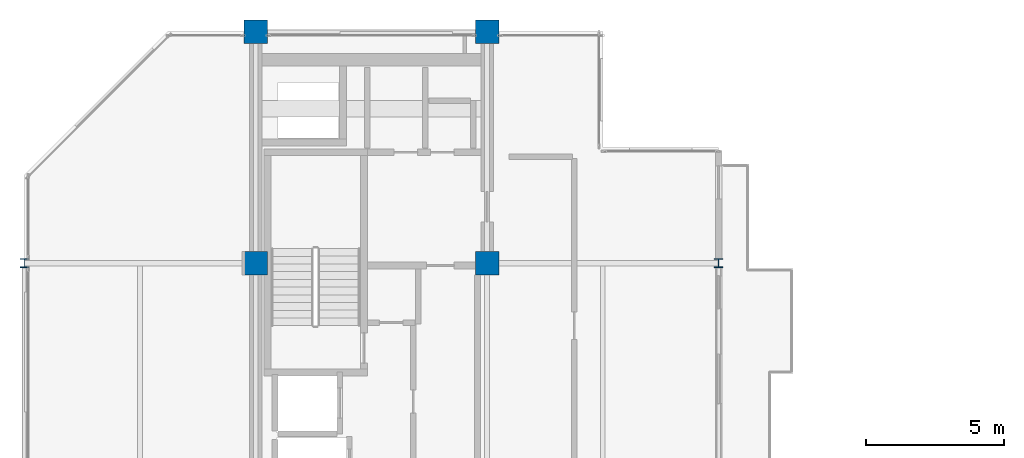
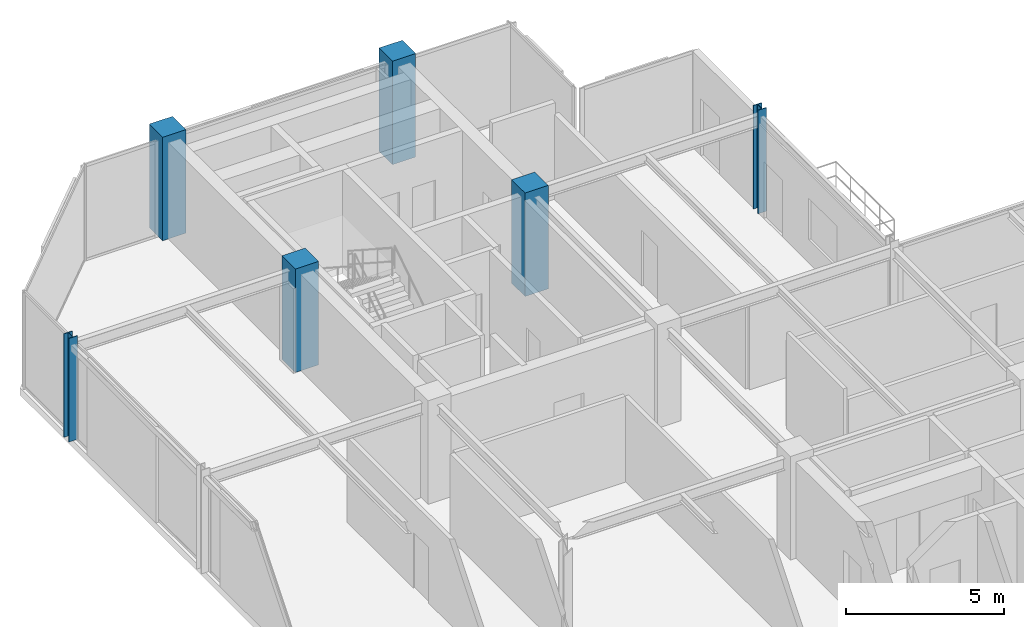
# One storey, part 2 of 26: 6 columns.
"""IFC4 building model written with IfcOpenShell, lengths in metres."""

import ifcopenshell
import ifcopenshell.guid

model = None  # the IFC model being written
_history = None  # IfcOwnerHistory: only IFC2X3 demands one
_inside = {}  # id of a spatial element -> (the spatial element, [elements in it])
_under = {}  # id of a project, library or spatial element -> (it, [spatial elements below it])
_declared = {}  # id of a project -> (the project, [libraries it declares])
_typed = {}  # id of a type object -> (the type object, [elements of that type])
_made_of = {}  # id of a material, layer set ... -> (it, [elements and type objects made of it])


def new_model(schema):
    """Start an empty IFC model of exactly this schema.

    Asked for "IFC4X3", IfcOpenShell would pick the latest addendum, in which some entities
    have other attributes; the version numbers below select the first issue.
    IFC2X3 requires an IfcOwnerHistory on every rooted entity: one is made here for all.
    """
    global model, _history
    if schema == "IFC4X3":
        model = ifcopenshell.file(schema_version=(4, 3, 0, 0))
    else:
        model = ifcopenshell.file(schema=schema)
    _inside.clear()
    _under.clear()
    _declared.clear()
    _typed.clear()
    _made_of.clear()
    _history = None
    if model.schema == "IFC2X3":
        org = make("IfcOrganization", Name="unknown")
        user = make(
            "IfcPersonAndOrganization",
            ThePerson=make("IfcPerson", FamilyName="unknown"),
            TheOrganization=org,
        )
        app = make(
            "IfcApplication",
            ApplicationDeveloper=org,
            Version="unknown",
            ApplicationFullName="unknown",
            ApplicationIdentifier="unknown",
        )
        _history = make(
            "IfcOwnerHistory",
            OwningUser=user,
            OwningApplication=app,
            ChangeAction="ADDED",
            CreationDate=0,
        )
    return model


def make(cls, **values):
    """One entity of the class cls with the attributes given. An attribute that is None is left unset."""
    return model.create_entity(
        cls, **{name: value for name, value in values.items() if value is not None}
    )


def rooted(cls, **values):
    """An entity with a GlobalId (a new one), such as an element, a storey or a relation."""
    return make(cls, GlobalId=ifcopenshell.guid.new(), OwnerHistory=_history, **values)


def si_unit(unit_type, name, prefix=None):
    """IfcSIUnit, for example si_unit("LENGTHUNIT", "METRE", prefix="MILLI")."""
    return make("IfcSIUnit", UnitType=unit_type, Prefix=prefix, Name=name)


def assignment(units):
    """IfcUnitAssignment: the units of a project."""
    return None if units is None else make("IfcUnitAssignment", Units=units)


def point(xyz):
    """IfcCartesianPoint."""
    return None if xyz is None else make("IfcCartesianPoint", Coordinates=xyz)


def direction(xyz):
    """IfcDirection."""
    return None if xyz is None else make("IfcDirection", DirectionRatios=xyz)


def frame(location, z_axis=None, x_axis=None):
    """IfcAxis2Placement3D, a coordinate frame: its origin and axes. An axis left out is left unset."""
    return make(
        "IfcAxis2Placement3D",
        Location=point(location),
        Axis=direction(z_axis),
        RefDirection=direction(x_axis),
    )


def frame_2d(location, x_axis=None):
    """IfcAxis2Placement2D, a coordinate frame in the plane: its origin and x axis."""
    return make(
        "IfcAxis2Placement2D", Location=point(location), RefDirection=direction(x_axis)
    )


def origin():
    """The frame at (0, 0, 0) with its axes left unset."""
    return frame((0.0, 0.0, 0.0))


def origin_2d():
    """The frame at (0, 0) in the plane with its x axis left unset."""
    return frame_2d((0.0, 0.0))


def place(relative_to, where):
    """IfcLocalPlacement: puts the frame where relative to a parent placement (None: the world)."""
    return make(
        "IfcLocalPlacement", PlacementRelTo=relative_to, RelativePlacement=where
    )


def context(
    kind, dimensions, precision=None, world=None, true_north=None, identifier=None
):
    """IfcGeometricRepresentationContext, for example the 3D "Model" context."""
    return make(
        "IfcGeometricRepresentationContext",
        ContextIdentifier=identifier,
        ContextType=kind,
        CoordinateSpaceDimension=dimensions,
        Precision=precision,
        WorldCoordinateSystem=world,
        TrueNorth=true_north,
    )


def subcontext(parent, identifier, kind, view, scale=None):
    """IfcGeometricRepresentationSubContext, for example "Body" below "Model"."""
    return make(
        "IfcGeometricRepresentationSubContext",
        ContextIdentifier=identifier,
        ContextType=kind,
        ParentContext=parent,
        TargetScale=scale,
        TargetView=view,
    )


def project(units=None, contexts=None):
    """IfcProject with its units and contexts."""
    return rooted(
        "IfcProject",
        Name="project",
        RepresentationContexts=contexts,
        UnitsInContext=assignment(units),
    )


def spatial(cls, under=None, at=None, **own):
    """A site, building, storey or space (cls), placed at a placement, below another one or the project."""
    s = rooted(cls, ObjectPlacement=at, **own)
    if under is not None:
        _under.setdefault(under.id(), (under, []))[1].append(s)
    return s


def profile(cls, at=None, kind="AREA", **sizes):
    """A parametric profile (cls). Its sizes go by their IFC names, for example OverallWidth=200.0."""
    return make(cls, ProfileType=kind, Position=at, **sizes)


def rectangle(**sizes):
    """IfcRectangleProfileDef."""
    return profile("IfcRectangleProfileDef", **sizes)


def i_section(**sizes):
    """IfcIShapeProfileDef."""
    return profile("IfcIShapeProfileDef", **sizes)


def extrude(swept, where, along, depth):
    """IfcExtrudedAreaSolid: the profile swept, set in the frame where, extruded along a direction by depth."""
    return make(
        "IfcExtrudedAreaSolid",
        SweptArea=swept,
        Position=where,
        ExtrudedDirection=direction(along),
        Depth=depth,
    )


def shape(context_of_items, identifier, shape_type, items):
    """IfcShapeRepresentation: the items that make up one representation, for example the "Body"."""
    return make(
        "IfcShapeRepresentation",
        ContextOfItems=context_of_items,
        RepresentationIdentifier=identifier,
        RepresentationType=shape_type,
        Items=items,
    )


def material(Name=None, Category=None):
    """IfcMaterial."""
    return make("IfcMaterial", Name=Name, Category=Category)


def material_profile(
    of_material, cross_section, Name=None, Category=None, Priority=None
):
    """IfcMaterialProfile: a cross section and its material."""
    return make(
        "IfcMaterialProfile",
        Name=Name,
        Material=of_material,
        Profile=cross_section,
        Priority=Priority,
        Category=Category,
    )


def profile_set(profiles, Name=None, composite=None):
    """IfcMaterialProfileSet."""
    return make(
        "IfcMaterialProfileSet",
        Name=Name,
        MaterialProfiles=profiles,
        CompositeProfile=composite,
    )


def made_of(thing, what):
    """Note that an element or type object is made of a material, layer set ...; save() writes the relation."""
    if what is not None:
        _made_of.setdefault(what.id(), (what, []))[1].append(thing)
    return thing


def type_object(cls, material=None, **own):
    """A type object (cls), such as IfcWallType, which elements share."""
    return made_of(rooted(cls, **own), material)


def element(
    cls,
    number,
    at=None,
    inside=None,
    cuts=None,
    type_object=None,
    material=None,
    context=None,
    identifier="Body",
    shape_type=None,
    held_by="IfcProductDefinitionShape",
    body=None,
    shapes=None,
    **own,
):
    """One element of the class cls, such as IfcWall. Its Tag is "e" and its number.

    at: its placement. inside: the storey or other place that contains it. cuts: it is an
    opening in that element (IfcRelVoidsElement). A single representation is given by context,
    identifier, shape_type and body (its items); several are given by shapes. held_by: the class
    of the entity that holds the representations. save() writes the other relations.
    """
    e = rooted(cls, Tag="e%d" % number, ObjectPlacement=at, **own)
    if body is not None:
        shapes = [shape(context, identifier, shape_type, body)]
    if shapes is not None:
        e.Representation = make(held_by, Representations=shapes)
    if inside is not None:
        _inside.setdefault(inside.id(), (inside, []))[1].append(e)
    if cuts is not None:
        rooted(
            "IfcRelVoidsElement", RelatingBuildingElement=cuts, RelatedOpeningElement=e
        )
    if type_object is not None:
        _typed.setdefault(type_object.id(), (type_object, []))[1].append(e)
    return made_of(e, material)


def aggregate(whole, parts):
    """IfcRelAggregates: a whole, such as a stair, and the parts it consists of."""
    return rooted("IfcRelAggregates", RelatingObject=whole, RelatedObjects=parts)


def save(model, path):
    """Write the relations noted so far, then the file.

    IfcRelAggregates (storeys below a building ...), IfcRelContainedInSpatialStructure (elements
    in a storey), IfcRelDefinesByType, IfcRelAssociatesMaterial and IfcRelDeclares: one each for
    every whole, place, type object, material and project.
    """
    for whole, parts in _under.values():
        aggregate(whole, parts)
    for where, things in _inside.values():
        rooted(
            "IfcRelContainedInSpatialStructure",
            RelatedElements=things,
            RelatingStructure=where,
        )
    for kind, things in _typed.values():
        rooted("IfcRelDefinesByType", RelatedObjects=things, RelatingType=kind)
    for what, things in _made_of.values():
        rooted("IfcRelAssociatesMaterial", RelatedObjects=things, RelatingMaterial=what)
    for by, libraries in _declared.values():
        rooted("IfcRelDeclares", RelatingContext=by, RelatedDefinitions=libraries)
    model.write(path)


model = new_model("IFC4")

# Units and contexts
model_context = context("Model", 3, precision=1e-05, world=origin(), true_north=direction((0.0, 1.0)))
body_context = subcontext(model_context, "Body", "Model", "MODEL_VIEW")
ifc_project = project(units=[si_unit("LENGTHUNIT", "METRE"), si_unit("AREAUNIT", "SQUARE_METRE"), si_unit("VOLUMEUNIT", "CUBIC_METRE"), si_unit("PLANEANGLEUNIT", "RADIAN"), si_unit("MASSUNIT", "GRAM", prefix="KILO")], contexts=[model_context])

# Site, building, storey
site_placement = place(None, origin())
site = spatial("IfcSite", under=ifc_project, at=site_placement, CompositionType="ELEMENT")
building_placement = place(site_placement, origin())
building = spatial("IfcBuilding", under=site, at=building_placement, Name="Nerrivon Quay Data Exchange", CompositionType="ELEMENT")
storey_placement = place(building_placement, frame((0.0, 0.0, 274.199951171875)))
storey = spatial("IfcBuildingStorey", under=building, at=storey_placement, Name="L65", CompositionType="ELEMENT", Elevation=274.199951171875)

# Columns
ifc_material_1 = material(Name="Concrete N50 (50 MPa)", Category="concrete")
ifc_material_profile_1 = material_profile(ifc_material_1, rectangle(XDim=0.85009765625, YDim=0.85009765625, at=origin_2d()), Name="RC-COL-850x850")
ifc_profile_set_1 = profile_set([ifc_material_profile_1], Name="Concrete N50 (50 MPa)")
column_type_1 = type_object("IfcColumnType", Name="COL-C5-850", PredefinedType="COLUMN", material=ifc_profile_set_1)
for number, where, z_axis, x_axis, name in (
    (1, (8.39990234375, 33.60009765625, 0.0), (0.0, 0.0, 1.0), (1.0, 0.0, 0.0), "L65 Column (8.4,33.6)"),
    (2, (8.39990234375, 42.0, 0.0), (0.0, 0.0, 1.0), (1.0, 0.0, 0.0), "L65 Column (8.4,42.0)"),
    (3, (16.800048828125, 33.60009765625, 0.0), (0.0, 0.0, 1.0), (1.0, 0.0, 0.0), "L65 Column (16.8,33.6)"),
    (4, (16.800048828125, 42.0, 0.0), (0.0, 0.0, 1.0), (1.0, 0.0, 0.0), "L65 Column (16.8,42.0)"),
):
    element("IfcColumn", number, at=place(storey_placement, frame(where, z_axis=z_axis, x_axis=x_axis)), inside=storey, type_object=column_type_1, Name=name, PredefinedType="COLUMN", context=body_context, shape_type="SweptSolid", body=[
        extrude(rectangle(XDim=0.85009765625, YDim=0.85009765625, at=origin_2d()), origin(), (0.0, 0.0, 1.0), 4.0),
    ])
ifc_material_2 = material(Name="Steel Grade 350", Category="steel")
ifc_material_profile_2 = material_profile(ifc_material_2, i_section(OverallWidth=0.31103515625, OverallDepth=0.326904296875, WebThickness=0.015625, FlangeThickness=0.02490234375, FilletRadius=0.0166015625, at=origin_2d()), Name="310UC158")
ifc_profile_set_2 = profile_set([ifc_material_profile_2], Name="Steel Grade 350")
column_type_2 = type_object("IfcColumnType", Name="COL-SC4-310UC158", PredefinedType="COLUMN", material=ifc_profile_set_2)
for number, where, z_axis, x_axis, name in (
    (5, (0.0, 33.60009765625, 0.0), (0.0, 0.0, 1.0), (1.0, 0.0, 0.0), "L65 Column (0.0,33.6)"),
    (6, (25.199951171875, 33.60009765625, 0.0), (0.0, 0.0, 1.0), (1.0, 0.0, 0.0), "L65 Column (25.2,33.6)"),
):
    element("IfcColumn", number, at=place(storey_placement, frame(where, z_axis=z_axis, x_axis=x_axis)), inside=storey, type_object=column_type_2, Name=name, PredefinedType="COLUMN", context=body_context, shape_type="SweptSolid", body=[
        extrude(i_section(OverallWidth=0.31103515625, OverallDepth=0.326904296875, WebThickness=0.015625, FlangeThickness=0.02490234375, FilletRadius=0.0166015625, at=origin_2d()), origin(), (0.0, 0.0, 1.0), 4.0),
    ])

save(model, "model.ifc")
